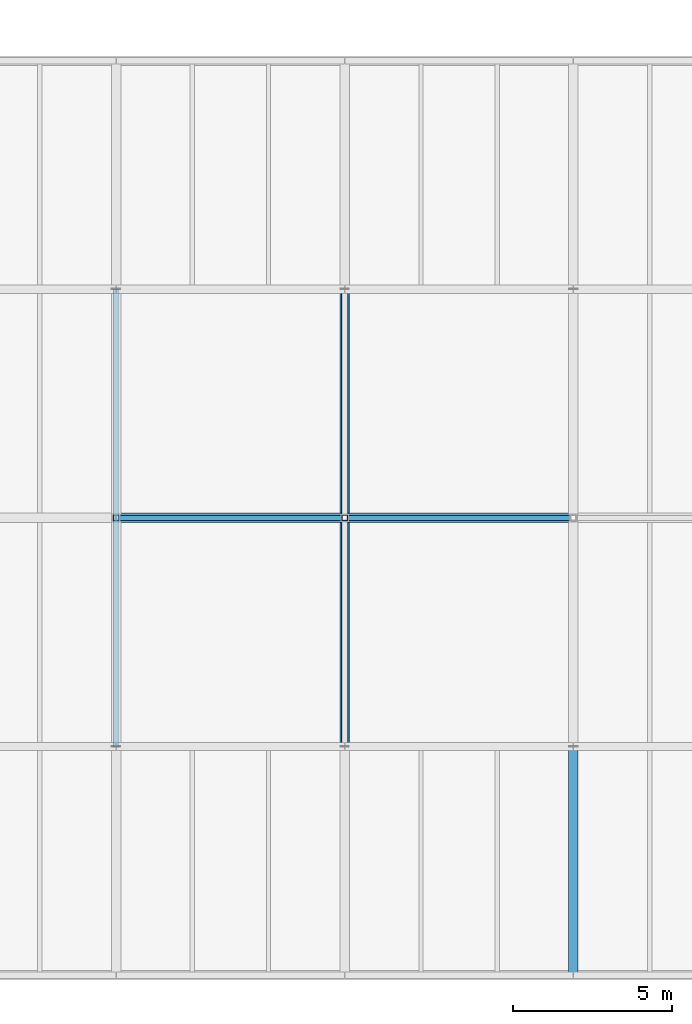
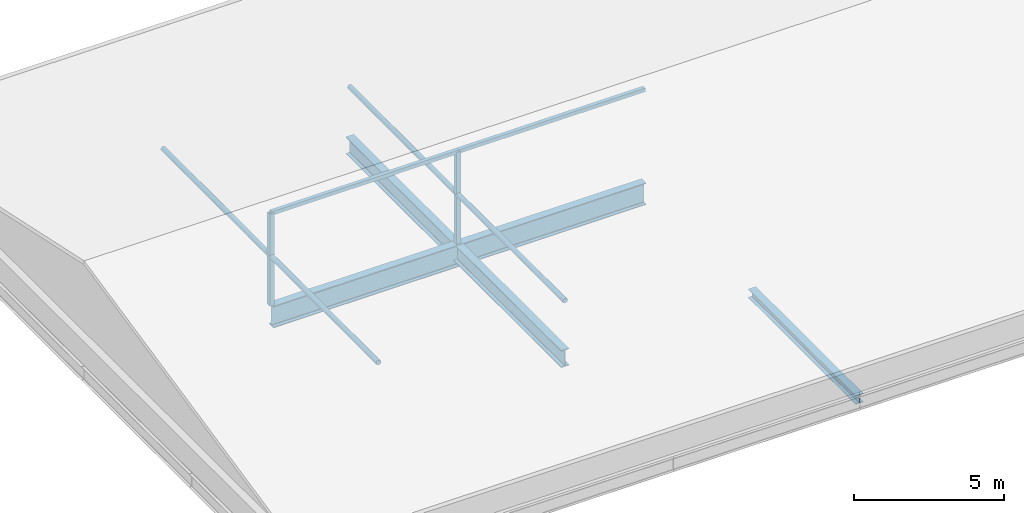
# One storey, part 17 of 66: 6 members, 3 beams.
"""IFC4 building model written with IfcOpenShell, lengths in metres."""

import ifcopenshell
import ifcopenshell.guid

model = None  # the IFC model being written
_history = None  # IfcOwnerHistory: only IFC2X3 demands one
_inside = {}  # id of a spatial element -> (the spatial element, [elements in it])
_under = {}  # id of a project, library or spatial element -> (it, [spatial elements below it])
_declared = {}  # id of a project -> (the project, [libraries it declares])
_typed = {}  # id of a type object -> (the type object, [elements of that type])
_made_of = {}  # id of a material, layer set ... -> (it, [elements and type objects made of it])


def new_model(schema):
    """Start an empty IFC model of exactly this schema.

    Asked for "IFC4X3", IfcOpenShell would pick the latest addendum, in which some entities
    have other attributes; the version numbers below select the first issue.
    IFC2X3 requires an IfcOwnerHistory on every rooted entity: one is made here for all.
    """
    global model, _history
    if schema == "IFC4X3":
        model = ifcopenshell.file(schema_version=(4, 3, 0, 0))
    else:
        model = ifcopenshell.file(schema=schema)
    _inside.clear()
    _under.clear()
    _declared.clear()
    _typed.clear()
    _made_of.clear()
    _history = None
    if model.schema == "IFC2X3":
        org = make("IfcOrganization", Name="unknown")
        user = make(
            "IfcPersonAndOrganization",
            ThePerson=make("IfcPerson", FamilyName="unknown"),
            TheOrganization=org,
        )
        app = make(
            "IfcApplication",
            ApplicationDeveloper=org,
            Version="unknown",
            ApplicationFullName="unknown",
            ApplicationIdentifier="unknown",
        )
        _history = make(
            "IfcOwnerHistory",
            OwningUser=user,
            OwningApplication=app,
            ChangeAction="ADDED",
            CreationDate=0,
        )
    return model


def make(cls, **values):
    """One entity of the class cls with the attributes given. An attribute that is None is left unset."""
    return model.create_entity(
        cls, **{name: value for name, value in values.items() if value is not None}
    )


def rooted(cls, **values):
    """An entity with a GlobalId (a new one), such as an element, a storey or a relation."""
    return make(cls, GlobalId=ifcopenshell.guid.new(), OwnerHistory=_history, **values)


def si_unit(unit_type, name, prefix=None):
    """IfcSIUnit, for example si_unit("LENGTHUNIT", "METRE", prefix="MILLI")."""
    return make("IfcSIUnit", UnitType=unit_type, Prefix=prefix, Name=name)


def assignment(units):
    """IfcUnitAssignment: the units of a project."""
    return None if units is None else make("IfcUnitAssignment", Units=units)


def point(xyz):
    """IfcCartesianPoint."""
    return None if xyz is None else make("IfcCartesianPoint", Coordinates=xyz)


def direction(xyz):
    """IfcDirection."""
    return None if xyz is None else make("IfcDirection", DirectionRatios=xyz)


def frame(location, z_axis=None, x_axis=None):
    """IfcAxis2Placement3D, a coordinate frame: its origin and axes. An axis left out is left unset."""
    return make(
        "IfcAxis2Placement3D",
        Location=point(location),
        Axis=direction(z_axis),
        RefDirection=direction(x_axis),
    )


def frame_2d(location, x_axis=None):
    """IfcAxis2Placement2D, a coordinate frame in the plane: its origin and x axis."""
    return make(
        "IfcAxis2Placement2D", Location=point(location), RefDirection=direction(x_axis)
    )


def origin():
    """The frame at (0, 0, 0) with its axes left unset."""
    return frame((0.0, 0.0, 0.0))


def origin_2d():
    """The frame at (0, 0) in the plane with its x axis left unset."""
    return frame_2d((0.0, 0.0))


def place(relative_to, where):
    """IfcLocalPlacement: puts the frame where relative to a parent placement (None: the world)."""
    return make(
        "IfcLocalPlacement", PlacementRelTo=relative_to, RelativePlacement=where
    )


def context(
    kind, dimensions, precision=None, world=None, true_north=None, identifier=None
):
    """IfcGeometricRepresentationContext, for example the 3D "Model" context."""
    return make(
        "IfcGeometricRepresentationContext",
        ContextIdentifier=identifier,
        ContextType=kind,
        CoordinateSpaceDimension=dimensions,
        Precision=precision,
        WorldCoordinateSystem=world,
        TrueNorth=true_north,
    )


def subcontext(parent, identifier, kind, view, scale=None):
    """IfcGeometricRepresentationSubContext, for example "Body" below "Model"."""
    return make(
        "IfcGeometricRepresentationSubContext",
        ContextIdentifier=identifier,
        ContextType=kind,
        ParentContext=parent,
        TargetScale=scale,
        TargetView=view,
    )


def project(units=None, contexts=None):
    """IfcProject with its units and contexts."""
    return rooted(
        "IfcProject",
        Name="project",
        RepresentationContexts=contexts,
        UnitsInContext=assignment(units),
    )


def spatial(cls, under=None, at=None, **own):
    """A site, building, storey or space (cls), placed at a placement, below another one or the project."""
    s = rooted(cls, ObjectPlacement=at, **own)
    if under is not None:
        _under.setdefault(under.id(), (under, []))[1].append(s)
    return s


def profile(cls, at=None, kind="AREA", **sizes):
    """A parametric profile (cls). Its sizes go by their IFC names, for example OverallWidth=200.0."""
    return make(cls, ProfileType=kind, Position=at, **sizes)


def hollow_rectangle(**sizes):
    """IfcRectangleHollowProfileDef."""
    return profile("IfcRectangleHollowProfileDef", **sizes)


def hollow_circle(**sizes):
    """IfcCircleHollowProfileDef."""
    return profile("IfcCircleHollowProfileDef", **sizes)


def i_section(**sizes):
    """IfcIShapeProfileDef."""
    return profile("IfcIShapeProfileDef", **sizes)


def extrude(swept, where, along, depth):
    """IfcExtrudedAreaSolid: the profile swept, set in the frame where, extruded along a direction by depth."""
    return make(
        "IfcExtrudedAreaSolid",
        SweptArea=swept,
        Position=where,
        ExtrudedDirection=direction(along),
        Depth=depth,
    )


def shape(context_of_items, identifier, shape_type, items):
    """IfcShapeRepresentation: the items that make up one representation, for example the "Body"."""
    return make(
        "IfcShapeRepresentation",
        ContextOfItems=context_of_items,
        RepresentationIdentifier=identifier,
        RepresentationType=shape_type,
        Items=items,
    )


def material(Name=None, Category=None):
    """IfcMaterial."""
    return make("IfcMaterial", Name=Name, Category=Category)


def material_profile(
    of_material, cross_section, Name=None, Category=None, Priority=None
):
    """IfcMaterialProfile: a cross section and its material."""
    return make(
        "IfcMaterialProfile",
        Name=Name,
        Material=of_material,
        Profile=cross_section,
        Priority=Priority,
        Category=Category,
    )


def profile_set(profiles, Name=None, composite=None):
    """IfcMaterialProfileSet."""
    return make(
        "IfcMaterialProfileSet",
        Name=Name,
        MaterialProfiles=profiles,
        CompositeProfile=composite,
    )


def made_of(thing, what):
    """Note that an element or type object is made of a material, layer set ...; save() writes the relation."""
    if what is not None:
        _made_of.setdefault(what.id(), (what, []))[1].append(thing)
    return thing


def type_object(cls, material=None, **own):
    """A type object (cls), such as IfcWallType, which elements share."""
    return made_of(rooted(cls, **own), material)


def element(
    cls,
    number,
    at=None,
    inside=None,
    cuts=None,
    type_object=None,
    material=None,
    context=None,
    identifier="Body",
    shape_type=None,
    held_by="IfcProductDefinitionShape",
    body=None,
    shapes=None,
    **own,
):
    """One element of the class cls, such as IfcWall. Its Tag is "e" and its number.

    at: its placement. inside: the storey or other place that contains it. cuts: it is an
    opening in that element (IfcRelVoidsElement). A single representation is given by context,
    identifier, shape_type and body (its items); several are given by shapes. held_by: the class
    of the entity that holds the representations. save() writes the other relations.
    """
    e = rooted(cls, Tag="e%d" % number, ObjectPlacement=at, **own)
    if body is not None:
        shapes = [shape(context, identifier, shape_type, body)]
    if shapes is not None:
        e.Representation = make(held_by, Representations=shapes)
    if inside is not None:
        _inside.setdefault(inside.id(), (inside, []))[1].append(e)
    if cuts is not None:
        rooted(
            "IfcRelVoidsElement", RelatingBuildingElement=cuts, RelatedOpeningElement=e
        )
    if type_object is not None:
        _typed.setdefault(type_object.id(), (type_object, []))[1].append(e)
    return made_of(e, material)


def aggregate(whole, parts):
    """IfcRelAggregates: a whole, such as a stair, and the parts it consists of."""
    return rooted("IfcRelAggregates", RelatingObject=whole, RelatedObjects=parts)


def save(model, path):
    """Write the relations noted so far, then the file.

    IfcRelAggregates (storeys below a building ...), IfcRelContainedInSpatialStructure (elements
    in a storey), IfcRelDefinesByType, IfcRelAssociatesMaterial and IfcRelDeclares: one each for
    every whole, place, type object, material and project.
    """
    for whole, parts in _under.values():
        aggregate(whole, parts)
    for where, things in _inside.values():
        rooted(
            "IfcRelContainedInSpatialStructure",
            RelatedElements=things,
            RelatingStructure=where,
        )
    for kind, things in _typed.values():
        rooted("IfcRelDefinesByType", RelatedObjects=things, RelatingType=kind)
    for what, things in _made_of.values():
        rooted("IfcRelAssociatesMaterial", RelatedObjects=things, RelatingMaterial=what)
    for by, libraries in _declared.values():
        rooted("IfcRelDeclares", RelatingContext=by, RelatedDefinitions=libraries)
    model.write(path)


model = new_model("IFC4")

# Units and contexts
model_context = context("Model", 3, precision=1e-05, world=origin(), true_north=direction((0.0, 1.0)))
body_context = subcontext(model_context, "Body", "Model", "MODEL_VIEW")
ifc_project = project(units=[si_unit("LENGTHUNIT", "METRE"), si_unit("AREAUNIT", "SQUARE_METRE"), si_unit("VOLUMEUNIT", "CUBIC_METRE"), si_unit("PLANEANGLEUNIT", "RADIAN"), si_unit("MASSUNIT", "GRAM", prefix="KILO")], contexts=[model_context])

# Site, building, storey
site_placement = place(None, origin())
site = spatial("IfcSite", under=ifc_project, at=site_placement, CompositionType="ELEMENT")
building_placement = place(site_placement, origin())
building = spatial("IfcBuilding", under=site, at=building_placement, Name="Narikvali Park Central Library", CompositionType="ELEMENT")
storey_placement = place(building_placement, frame((0.0, 0.0, 18.60009765625)))
storey = spatial("IfcBuildingStorey", under=building, at=storey_placement, Name="L04", CompositionType="ELEMENT", Elevation=18.60009765625)

# Members
ifc_material = material(Name="Steel S355", Category="steel")
ifc_material_profile_1 = material_profile(ifc_material, hollow_rectangle(XDim=0.179931640625, YDim=0.179931640625, WallThickness=0.010009765625, at=origin_2d()), Name="SHS 180x180x10")
ifc_profile_set_1 = profile_set([ifc_material_profile_1], Name="Steel S355")
member_type_1 = type_object("IfcMemberType", Name="Auditorium Truss Vertical SHS180", PredefinedType="COLLAR", material=ifc_profile_set_1)
for number, where, z_axis, x_axis, name in (
    (1, (129.60009765625, 14.39990234375, -0.239990234375), (0.0, 0.0, 1.0), (1.0, 0.0, 0.0), "V6 Roof Truss King Strut 1"),
    (2, (136.800048828125, 14.39990234375, -0.239990234375), (0.0, 0.0, 1.0), (1.0, 0.0, 0.0), "V6 Roof Truss King Strut 2"),
):
    element("IfcMember", number, at=place(storey_placement, frame(where, z_axis=z_axis, x_axis=x_axis)), inside=storey, type_object=member_type_1, Name=name, PredefinedType="COLLAR", context=body_context, shape_type="SweptSolid", body=[
        extrude(hollow_rectangle(XDim=0.179931640625, YDim=0.179931640625, WallThickness=0.010009765625, at=origin_2d()), origin(), (0.0, 0.0, 1.0), 3.739990234375),
    ])

# Beams
ifc_material_profile_2 = material_profile(ifc_material, i_section(OverallWidth=0.300048828125, OverallDepth=0.889892578125, WebThickness=0.01611328125, FlangeThickness=0.030029296875, FilletRadius=0.030029296875, at=origin_2d()), Name="HEA 900")
ifc_profile_set_2 = profile_set([ifc_material_profile_2], Name="Steel S355")
beam_type_1 = type_object("IfcBeamType", Name="Lecture Hall Span Girder HEA900", PredefinedType="BEAM", material=ifc_profile_set_2)
beam_1_placement = place(storey_placement, frame((129.60791015625, 14.39990234375, -0.68505859375), z_axis=(1.0, 0.0, 0.0), x_axis=(0.0, 1.0, 0.0)))
element("IfcBeam", 3, at=beam_1_placement, inside=storey, type_object=beam_type_1, Name="V6 L04 Girder X", PredefinedType="BEAM", context=body_context, shape_type="SweptSolid", body=[
    extrude(i_section(OverallWidth=0.300048828125, OverallDepth=0.889892578125, WebThickness=0.01611328125, FlangeThickness=0.030029296875, FilletRadius=0.030029296875, at=origin_2d()), origin(), (0.0, 0.0, 1.0), 14.384033203125),
])
ifc_material_profile_3 = material_profile(ifc_material, i_section(OverallWidth=0.300048828125, OverallDepth=0.699951171875, WebThickness=0.01708984375, FlangeThickness=0.031982421875, FilletRadius=0.027099609375, at=origin_2d()), Name="HEB 700")
ifc_profile_set_3 = profile_set([ifc_material_profile_3], Name="Steel S355")
beam_type_2 = type_object("IfcBeamType", Name="Long Span Girder HEB700", PredefinedType="BEAM", material=ifc_profile_set_3)
beam_2_placement = place(storey_placement, frame((136.800048828125, 7.2080078125, -0.590087890625), z_axis=(0.0, 1.0, 0.0), x_axis=(-1.0, 0.0, 0.0)))
element("IfcBeam", 4, at=beam_2_placement, inside=storey, type_object=beam_type_2, Name="V6 L04 Girder Y", PredefinedType="BEAM", context=body_context, shape_type="SweptSolid", body=[
    extrude(i_section(OverallWidth=0.300048828125, OverallDepth=0.699951171875, WebThickness=0.01708984375, FlangeThickness=0.031982421875, FilletRadius=0.027099609375, at=origin_2d()), origin(), (0.0, 0.0, 1.0), 14.384033203125),
])

# Members
ifc_material_profile_4 = material_profile(ifc_material, hollow_circle(Radius=0.096923828125, WallThickness=0.010009765625, at=origin_2d()), Name="CHS 193.7x10")
ifc_profile_set_4 = profile_set([ifc_material_profile_4], Name="Steel S355")
member_type_2 = type_object("IfcMemberType", Name="Pavilion Roof Collar Tie CHS193", PredefinedType="COLLAR", material=ifc_profile_set_4)
for number, where, z_axis, x_axis, name in (
    (5, (129.60009765625, 7.199951171875, 1.75), (0.0, 1.0, 0.0), (-1.0, 0.0, 0.0), "V6 Roof Collar Tie 1"),
    (6, (136.800048828125, 7.199951171875, 1.75), (0.0, 1.0, 0.0), (-1.0, 0.0, 0.0), "V6 Roof Collar Tie 2"),
):
    element("IfcMember", number, at=place(storey_placement, frame(where, z_axis=z_axis, x_axis=x_axis)), inside=storey, type_object=member_type_2, Name=name, PredefinedType="COLLAR", context=body_context, shape_type="SweptSolid", body=[
        extrude(hollow_circle(Radius=0.096923828125, WallThickness=0.010009765625, at=origin_2d()), origin(), (0.0, 0.0, 1.0), 14.400146484375),
    ])

# Beam
ifc_material_profile_5 = material_profile(ifc_material, i_section(OverallWidth=0.300048828125, OverallDepth=0.35009765625, WebThickness=0.010009765625, FlangeThickness=0.017578125, FilletRadius=0.027099609375, at=origin_2d()), Name="HEA 360")
ifc_profile_set_5 = profile_set([ifc_material_profile_5], Name="Steel S355")
beam_type_3 = type_object("IfcBeamType", Name="Primary Girder HEA360", PredefinedType="BEAM", material=ifc_profile_set_5)
beam_3_placement = place(storey_placement, frame((144.0, 0.008056640625, -0.4150390625), z_axis=(0.0, 1.0, 0.0), x_axis=(-1.0, 0.0, 0.0)))
element("IfcBeam", 7, at=beam_3_placement, inside=storey, type_object=beam_type_3, Name="V6 L04 Girder Y", PredefinedType="BEAM", context=body_context, shape_type="SweptSolid", body=[
    extrude(i_section(OverallWidth=0.300048828125, OverallDepth=0.35009765625, WebThickness=0.010009765625, FlangeThickness=0.017578125, FilletRadius=0.027099609375, at=origin_2d()), origin(), (0.0, 0.0, 1.0), 7.183837890625),
])

# Members
ifc_material_profile_6 = material_profile(ifc_material, hollow_rectangle(XDim=0.14990234375, YDim=0.14990234375, WallThickness=0.010009765625, at=origin_2d()), Name="SHS 150x150x10")
ifc_profile_set_6 = profile_set([ifc_material_profile_6], Name="Steel S355")
member_type_3 = type_object("IfcMemberType", Name="Roof Steel Purlin SHS150x150", PredefinedType="PURLIN", material=ifc_profile_set_6)
for number, where, z_axis, x_axis, name in (
    (8, (129.60009765625, 14.39990234375, 3.5), (1.0, 0.0, 0.0), (0.0, 1.0, 0.0), "V6 Ridge Purlin 1"),
    (9, (136.800048828125, 14.39990234375, 3.5), (1.0, 0.0, 0.0), (0.0, 1.0, 0.0), "V6 Ridge Purlin 2"),
):
    element("IfcMember", number, at=place(storey_placement, frame(where, z_axis=z_axis, x_axis=x_axis)), inside=storey, type_object=member_type_3, Name=name, PredefinedType="PURLIN", context=body_context, shape_type="SweptSolid", body=[
        extrude(hollow_rectangle(XDim=0.14990234375, YDim=0.14990234375, WallThickness=0.010009765625, at=origin_2d()), origin(), (0.0, 0.0, 1.0), 7.199951171875),
    ])

save(model, "model.ifc")
